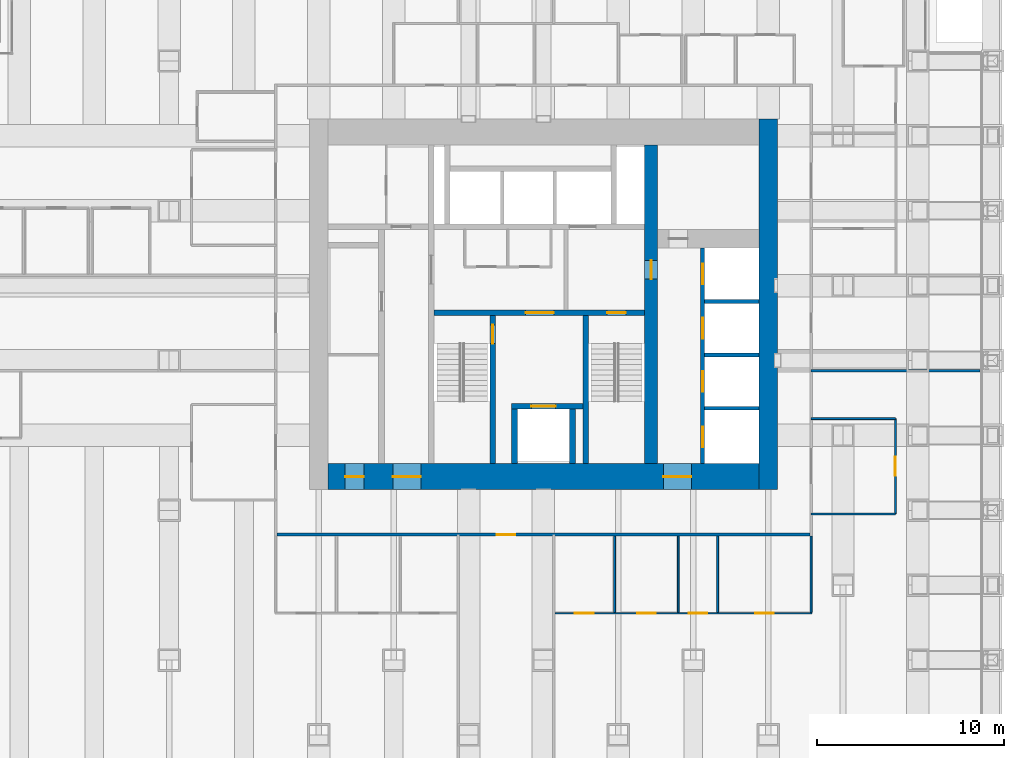
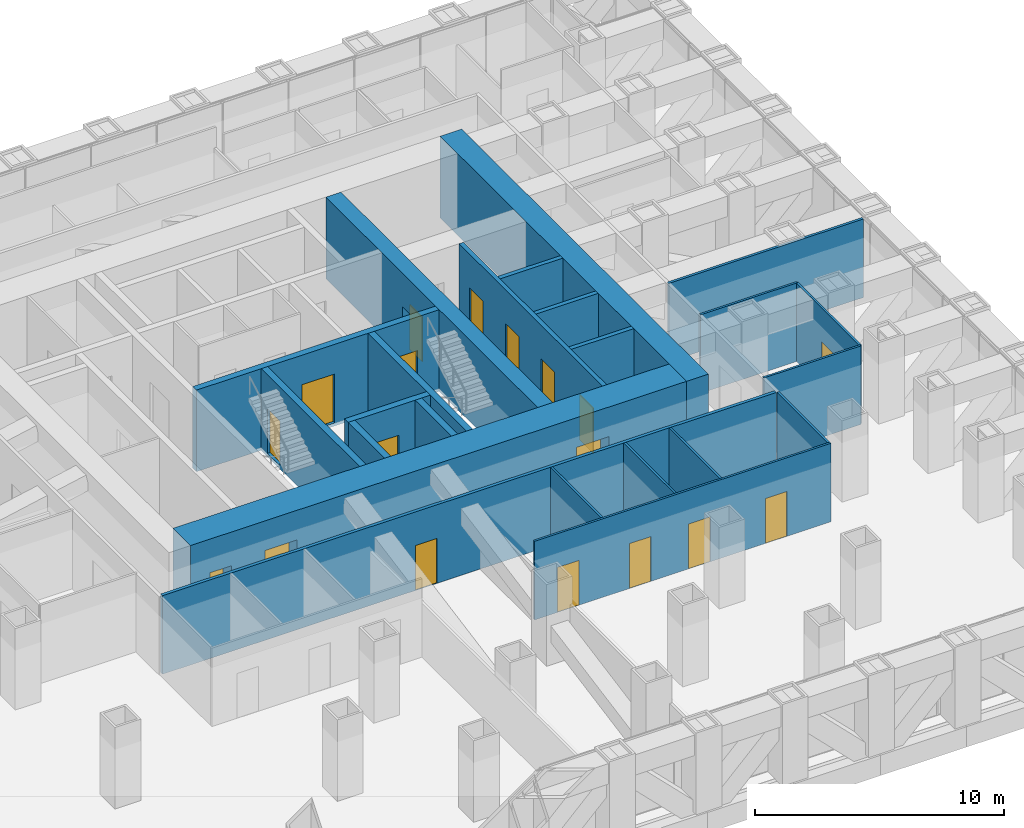
# One storey, part 14 of 18: 23 walls, 18 doors, 18 openings.
"""IFC4 building model written with IfcOpenShell, lengths in metres."""

from ifc_helpers import new_model, si_unit, direction, frame, frame_2d, origin, place, context, subcontext, project, spatial, rectangle, extrude, material, layer, layer_set, type_object, element, fill, save


model = new_model("IFC4")

# Units and contexts
model_context = context("Model", 3, precision=1e-05, world=origin(), true_north=direction((0.0, 1.0)))
body_context = subcontext(model_context, "Body", "Model", "MODEL_VIEW")
ifc_project = project(units=[si_unit("LENGTHUNIT", "METRE"), si_unit("AREAUNIT", "SQUARE_METRE"), si_unit("VOLUMEUNIT", "CUBIC_METRE"), si_unit("PLANEANGLEUNIT", "RADIAN"), si_unit("MASSUNIT", "GRAM", prefix="KILO")], contexts=[model_context])

# Site, building, storey
site_placement = place(None, origin())
site = spatial("IfcSite", under=ifc_project, at=site_placement, CompositionType="ELEMENT")
building_placement = place(site_placement, origin())
building = spatial("IfcBuilding", under=site, at=building_placement, Name="Rimbunsela Tower", CompositionType="ELEMENT")
storey_placement = place(building_placement, frame((0.0, 0.0, 11.0)))
storey = spatial("IfcBuildingStorey", under=building, at=storey_placement, Name="L02", CompositionType="ELEMENT", Elevation=11.0)

# Wall, openings, doors
ifc_material_1 = material(Name="Concrete fc' 80 MPa", Category="concrete")
ifc_layer_1 = layer(ifc_material_1, 0.300048828125)
ifc_layer_set_1 = layer_set([ifc_layer_1], Name="Core internal wall 300")
wall_type_1 = type_object("IfcWallType", Name="Core internal wall 300", PredefinedType="SHEAR", material=ifc_layer_set_1)
wall_1_placement = place(storey_placement, frame((24.14990234375, 26.550048828125, -0.14990234375), z_axis=(0.0, 0.0, 1.0), x_axis=(1.0, 0.0, 0.0)))
wall_1 = element("IfcWall", 1, at=wall_1_placement, inside=storey, type_object=wall_type_1, Name="Core wall lobby south", PredefinedType="SHEAR", context=body_context, shape_type="SweptSolid", body=[
    extrude(rectangle(XDim=11.25, YDim=0.300048828125, at=frame_2d((5.625, 0.0))), origin(), (0.0, 0.0, 1.0), 4.0),
])
opening_1_placement = place(wall_1_placement, frame((9.25, 0.0, 0.14990234375)))
opening_1 = element("IfcOpeningElement", 2, at=opening_1_placement, cuts=wall_1, Name="Opening D01", PredefinedType="OPENING", context=body_context, shape_type="SweptSolid", body=[
    extrude(rectangle(XDim=1.0, YDim=2.199951171875, at=frame_2d((0.5, 1.10009765625))), frame((0.0, 0.159912109375, 0.0), z_axis=(0.0, -1.0, 0.0), x_axis=(1.0, 0.0, 0.0)), (0.0, 0.0, 1.0), 0.320068359375),
])
opening_2_placement = place(wall_1_placement, frame((4.89990234375, 0.0, 0.14990234375)))
opening_2 = element("IfcOpeningElement", 3, at=opening_2_placement, cuts=wall_1, Name="Opening D03", PredefinedType="OPENING", context=body_context, shape_type="SweptSolid", body=[
    extrude(rectangle(XDim=1.5, YDim=2.39990234375, at=frame_2d((0.75, 1.199951171875))), frame((0.0, 0.159912109375, 0.0), z_axis=(0.0, -1.0, 0.0), x_axis=(1.0, 0.0, 0.0)), (0.0, 0.0, 1.0), 0.320068359375),
])
ifc_material_2 = material(Name="Steel door, fire rated", Category="steel")
door_type_1 = type_object("IfcDoorType", Name="Core lobby door 1500", OperationType="DOUBLE_DOOR_DOUBLE_SWING", PredefinedType="DOOR", material=ifc_material_2)
door_1_placement = place(opening_2_placement, origin())
door_1 = element("IfcDoor", 4, at=door_1_placement, inside=storey, type_object=door_type_1, Name="Firefighting lobby door", OperationType="DOUBLE_DOOR_DOUBLE_SWING", OverallHeight=2.39990234375, OverallWidth=1.5, PredefinedType="DOOR", context=body_context, shape_type="SweptSolid", body=[
    extrude(rectangle(XDim=1.5, YDim=2.39990234375, at=frame_2d((0.75, 1.199951171875))), frame((0.0, 0.02490234375, 0.0), z_axis=(0.0, -1.0, 0.0), x_axis=(1.0, 0.0, 0.0)), (0.0, 0.0, 1.0), 0.050048828125),
])
fill(opening_2, door_1)
ifc_material_3 = material(Name="Steel door, fire rated", Category="steel")
door_type_2 = type_object("IfcDoorType", Name="Stair door 1000", OperationType="SINGLE_SWING_RIGHT", PredefinedType="DOOR", material=ifc_material_3)
door_2_placement = place(opening_1_placement, frame((1.0, 0.0, 0.0), z_axis=(0.0, 0.0, 1.0), x_axis=(-1.0, 0.0, 0.0)))
door_2 = element("IfcDoor", 5, at=door_2_placement, inside=storey, type_object=door_type_2, Name="Stair B door", OperationType="SINGLE_SWING_RIGHT", OverallHeight=2.199951171875, OverallWidth=1.0, PredefinedType="DOOR", context=body_context, shape_type="SweptSolid", body=[
    extrude(rectangle(XDim=1.0, YDim=2.199951171875, at=frame_2d((0.5, 1.10009765625))), frame((0.0, 0.02490234375, 0.0), z_axis=(0.0, -1.0, 0.0), x_axis=(1.0, 0.0, 0.0)), (0.0, 0.0, 1.0), 0.050048828125),
])
fill(opening_1, door_2)

# Wall, opening, door
wall_2_placement = place(storey_placement, frame((27.300048828125, 18.5, -0.14990234375), z_axis=(0.0, 0.0, 1.0), x_axis=(0.0, 1.0, 0.0)))
wall_2 = element("IfcWall", 6, at=wall_2_placement, inside=storey, type_object=wall_type_1, Name="Stair A enclosure", PredefinedType="SHEAR", context=body_context, shape_type="SweptSolid", body=[
    extrude(rectangle(XDim=7.89990234375, YDim=0.300048828125, at=frame_2d((3.949951171875, 0.0))), origin(), (0.0, 0.0, 1.0), 4.0),
])
opening_3_placement = place(wall_2_placement, frame((6.39990234375, 0.0, 0.14990234375)))
opening_3 = element("IfcOpeningElement", 7, at=opening_3_placement, cuts=wall_2, Name="Opening D01", PredefinedType="OPENING", context=body_context, shape_type="SweptSolid", body=[
    extrude(rectangle(XDim=1.0, YDim=2.199951171875, at=frame_2d((0.5, 1.10009765625))), frame((0.0, 0.159912109375, 0.0), z_axis=(0.0, -1.0, 0.0), x_axis=(1.0, 0.0, 0.0)), (0.0, 0.0, 1.0), 0.320068359375),
])
door_3_placement = place(opening_3_placement, origin())
door_3 = element("IfcDoor", 8, at=door_3_placement, inside=storey, type_object=door_type_2, Name="Stair A door", OperationType="SINGLE_SWING_RIGHT", OverallHeight=2.199951171875, OverallWidth=1.0, PredefinedType="DOOR", context=body_context, shape_type="SweptSolid", body=[
    extrude(rectangle(XDim=1.0, YDim=2.199951171875, at=frame_2d((0.5, 1.10009765625))), frame((0.0, 0.02490234375, 0.0), z_axis=(0.0, -1.0, 0.0), x_axis=(1.0, 0.0, 0.0)), (0.0, 0.0, 1.0), 0.050048828125),
])
fill(opening_3, door_3)

# Walls
wall_3_placement = place(storey_placement, frame((32.25, 18.5, -0.14990234375), z_axis=(0.0, 0.0, 1.0), x_axis=(0.0, 1.0, 0.0)))
element("IfcWall", 9, at=wall_3_placement, inside=storey, type_object=wall_type_1, Name="Stair B enclosure", PredefinedType="SHEAR", context=body_context, shape_type="SweptSolid", body=[
    extrude(rectangle(XDim=7.89990234375, YDim=0.300048828125, at=frame_2d((3.949951171875, 0.0))), origin(), (0.0, 0.0, 1.0), 4.0),
])
for number, where, z_axis, x_axis, name in (
    (10, (28.449951171875, 18.5, -0.14990234375), (0.0, 0.0, 1.0), (0.0, 1.0, 0.0), "Firefighting lift shaft west"),
    (11, (31.550048828125, 18.5, -0.14990234375), (0.0, 0.0, 1.0), (0.0, 1.0, 0.0), "Firefighting lift shaft east"),
):
    element("IfcWall", number, at=place(storey_placement, frame(where, z_axis=z_axis, x_axis=x_axis)), inside=storey, type_object=wall_type_1, Name=name, PredefinedType="SHEAR", context=body_context, shape_type="SweptSolid", body=[
        extrude(rectangle(XDim=2.89990234375, YDim=0.300048828125, at=frame_2d((1.449951171875, 0.0))), origin(), (0.0, 0.0, 1.0), 4.0),
    ])

# Wall, opening, door
wall_4_placement = place(storey_placement, frame((28.300048828125, 21.550048828125, -0.14990234375), z_axis=(0.0, 0.0, 1.0), x_axis=(1.0, 0.0, 0.0)))
wall_4 = element("IfcWall", 12, at=wall_4_placement, inside=storey, type_object=wall_type_1, Name="Firefighting lift shaft front", PredefinedType="SHEAR", context=body_context, shape_type="SweptSolid", body=[
    extrude(rectangle(XDim=3.800048828125, YDim=0.300048828125, at=frame_2d((1.89990234375, 0.0))), origin(), (0.0, 0.0, 1.0), 4.0),
])
opening_4_placement = place(wall_4_placement, frame((1.050048828125, 0.0, 0.14990234375)))
opening_4 = element("IfcOpeningElement", 13, at=opening_4_placement, cuts=wall_4, Name="Opening LD2", PredefinedType="OPENING", context=body_context, shape_type="SweptSolid", body=[
    extrude(rectangle(XDim=1.300048828125, YDim=2.39990234375, at=frame_2d((0.64990234375, 1.199951171875))), frame((0.0, 0.159912109375, 0.0), z_axis=(0.0, -1.0, 0.0), x_axis=(1.0, 0.0, 0.0)), (0.0, 0.0, 1.0), 0.320068359375),
])
ifc_material_4 = material(Name="Steel door, fire rated", Category="steel")
door_type_3 = type_object("IfcDoorType", Name="Lift landing door 1300", OperationType="DOUBLE_DOOR_SLIDING", PredefinedType="DOOR", material=ifc_material_4)
door_4_placement = place(opening_4_placement, origin())
door_4 = element("IfcDoor", 14, at=door_4_placement, inside=storey, type_object=door_type_3, Name="Lift landing door FL1", OperationType="DOUBLE_DOOR_SLIDING", OverallHeight=2.39990234375, OverallWidth=1.300048828125, PredefinedType="DOOR", context=body_context, shape_type="SweptSolid", body=[
    extrude(rectangle(XDim=1.300048828125, YDim=2.39990234375, at=frame_2d((0.64990234375, 1.199951171875))), frame((0.0, 0.02490234375, 0.0), z_axis=(0.0, -1.0, 0.0), x_axis=(1.0, 0.0, 0.0)), (0.0, 0.0, 1.0), 0.050048828125),
])
fill(opening_4, door_4)

# Wall
ifc_material_5 = material(Name="Concrete fc' 80 MPa", Category="concrete")
ifc_layer_2 = layer(ifc_material_5, 1.0)
ifc_layer_set_2 = layer_set([ifc_layer_2], Name="Core wall 1000")
wall_type_2 = type_object("IfcWallType", Name="Core wall 1000", PredefinedType="SHEAR", material=ifc_layer_set_2)
wall_5_placement = place(storey_placement, frame((42.0, 17.10009765625, -0.14990234375), z_axis=(0.0, 0.0, 1.0), x_axis=(0.0, 1.0, 0.0)))
element("IfcWall", 15, at=wall_5_placement, inside=storey, type_object=wall_type_2, Name="Core wall east", PredefinedType="SHEAR", context=body_context, shape_type="SweptSolid", body=[
    extrude(rectangle(XDim=19.7998046875, YDim=1.0, at=frame_2d((9.89990234375, 0.0))), origin(), (0.0, 0.0, 1.0), 4.0),
])

# Wall, openings, doors
ifc_material_6 = material(Name="Concrete fc' 80 MPa", Category="concrete")
ifc_layer_3 = layer(ifc_material_6, 1.39990234375)
ifc_layer_set_3 = layer_set([ifc_layer_3], Name="Core wall 1400")
wall_type_3 = type_object("IfcWallType", Name="Core wall 1400", PredefinedType="SHEAR", material=ifc_layer_set_3)
wall_6_placement = place(storey_placement, frame((18.5, 17.800048828125, -0.14990234375), z_axis=(0.0, 0.0, 1.0), x_axis=(1.0, 0.0, 0.0)))
wall_6 = element("IfcWall", 16, at=wall_6_placement, inside=storey, type_object=wall_type_3, Name="Core wall south", PredefinedType="SHEAR", context=body_context, shape_type="SweptSolid", body=[
    extrude(rectangle(XDim=23.0, YDim=1.39990234375, at=frame_2d((11.5, 0.0))), origin(), (0.0, 0.0, 1.0), 4.0),
])
opening_5_placement = place(wall_6_placement, frame((3.449951171875, 0.0, 0.14990234375)))
opening_5 = element("IfcOpeningElement", 17, at=opening_5_placement, cuts=wall_6, Name="Opening D03", PredefinedType="OPENING", context=body_context, shape_type="SweptSolid", body=[
    extrude(rectangle(XDim=1.5, YDim=2.39990234375, at=frame_2d((0.75, 1.199951171875))), frame((0.0, 0.7099609375, 0.0), z_axis=(0.0, -1.0, 0.0), x_axis=(1.0, 0.0, 0.0)), (0.0, 0.0, 1.0), 1.419921875),
])
opening_6_placement = place(wall_6_placement, frame((17.89990234375, 0.0, 0.14990234375)))
opening_6 = element("IfcOpeningElement", 18, at=opening_6_placement, cuts=wall_6, Name="Opening D03", PredefinedType="OPENING", context=body_context, shape_type="SweptSolid", body=[
    extrude(rectangle(XDim=1.5, YDim=2.39990234375, at=frame_2d((0.75, 1.199951171875))), frame((0.0, 0.7099609375, 0.0), z_axis=(0.0, -1.0, 0.0), x_axis=(1.0, 0.0, 0.0)), (0.0, 0.0, 1.0), 1.419921875),
])
opening_7_placement = place(wall_6_placement, frame((0.89990234375, 0.0, 0.14990234375)))
opening_7 = element("IfcOpeningElement", 19, at=opening_7_placement, cuts=wall_6, Name="Opening D19", PredefinedType="OPENING", context=body_context, shape_type="SweptSolid", body=[
    extrude(rectangle(XDim=1.0, YDim=2.199951171875, at=frame_2d((0.5, 1.10009765625))), frame((0.0, 0.7099609375, 0.0), z_axis=(0.0, -1.0, 0.0), x_axis=(1.0, 0.0, 0.0)), (0.0, 0.0, 1.0), 1.419921875),
])
door_5_placement = place(opening_5_placement, origin())
door_5 = element("IfcDoor", 20, at=door_5_placement, inside=storey, type_object=door_type_1, Name="Core door south", OperationType="DOUBLE_DOOR_DOUBLE_SWING", OverallHeight=2.39990234375, OverallWidth=1.5, PredefinedType="DOOR", context=body_context, shape_type="SweptSolid", body=[
    extrude(rectangle(XDim=1.5, YDim=2.39990234375, at=frame_2d((0.75, 1.199951171875))), frame((0.0, 0.02490234375, 0.0), z_axis=(0.0, -1.0, 0.0), x_axis=(1.0, 0.0, 0.0)), (0.0, 0.0, 1.0), 0.050048828125),
])
fill(opening_5, door_5)
door_6_placement = place(opening_6_placement, origin())
door_6 = element("IfcDoor", 21, at=door_6_placement, inside=storey, type_object=door_type_1, Name="Core door south-east", OperationType="DOUBLE_DOOR_DOUBLE_SWING", OverallHeight=2.39990234375, OverallWidth=1.5, PredefinedType="DOOR", context=body_context, shape_type="SweptSolid", body=[
    extrude(rectangle(XDim=1.5, YDim=2.39990234375, at=frame_2d((0.75, 1.199951171875))), frame((0.0, 0.02490234375, 0.0), z_axis=(0.0, -1.0, 0.0), x_axis=(1.0, 0.0, 0.0)), (0.0, 0.0, 1.0), 0.050048828125),
])
fill(opening_6, door_6)
ifc_material_7 = material(Name="Steel door, fire rated", Category="steel")
door_type_4 = type_object("IfcDoorType", Name="Service door 1000 fire rated", OperationType="SINGLE_SWING_LEFT", PredefinedType="DOOR", material=ifc_material_7)
door_7_placement = place(opening_7_placement, origin())
door_7 = element("IfcDoor", 22, at=door_7_placement, inside=storey, type_object=door_type_4, Name="Electrical room door", OperationType="SINGLE_SWING_LEFT", OverallHeight=2.199951171875, OverallWidth=1.0, PredefinedType="DOOR", context=body_context, shape_type="SweptSolid", body=[
    extrude(rectangle(XDim=1.0, YDim=2.199951171875, at=frame_2d((0.5, 1.10009765625))), frame((0.0, 0.02490234375, 0.0), z_axis=(0.0, -1.0, 0.0), x_axis=(1.0, 0.0, 0.0)), (0.0, 0.0, 1.0), 0.050048828125),
])
fill(opening_7, door_7)

# Wall, opening, door
ifc_material_8 = material(Name="Concrete fc' 80 MPa", Category="concrete")
ifc_layer_4 = layer(ifc_material_8, 0.699951171875)
ifc_layer_set_4 = layer_set([ifc_layer_4], Name="Core wall 700 east")
wall_type_4 = type_object("IfcWallType", Name="Core wall 700 east", PredefinedType="SHEAR", material=ifc_layer_set_4)
wall_7_placement = place(storey_placement, frame((35.75, 18.5, -0.14990234375), z_axis=(0.0, 0.0, 1.0), x_axis=(0.0, 1.0, 0.0)))
wall_7 = element("IfcWall", 23, at=wall_7_placement, inside=storey, type_object=wall_type_4, Name="Core wall low-rise bank", PredefinedType="SHEAR", context=body_context, shape_type="SweptSolid", body=[
    extrude(rectangle(XDim=17.0, YDim=0.699951171875, at=frame_2d((8.5, 0.0))), origin(), (0.0, 0.0, 1.0), 4.0),
])
opening_8_placement = place(wall_7_placement, frame((9.85009765625, 0.0, 0.14990234375)))
opening_8 = element("IfcOpeningElement", 24, at=opening_8_placement, cuts=wall_7, Name="Opening D01", PredefinedType="OPENING", context=body_context, shape_type="SweptSolid", body=[
    extrude(rectangle(XDim=1.0, YDim=2.199951171875, at=frame_2d((0.5, 1.10009765625))), frame((0.0, 0.35986328125, 0.0), z_axis=(0.0, -1.0, 0.0), x_axis=(1.0, 0.0, 0.0)), (0.0, 0.0, 1.0), 0.719970703125),
])
door_8_placement = place(opening_8_placement, origin())
door_8 = element("IfcDoor", 25, at=door_8_placement, inside=storey, type_object=door_type_2, Name="Firefighting lobby 2 door", OperationType="SINGLE_SWING_RIGHT", OverallHeight=2.199951171875, OverallWidth=1.0, PredefinedType="DOOR", context=body_context, shape_type="SweptSolid", body=[
    extrude(rectangle(XDim=1.0, YDim=2.199951171875, at=frame_2d((0.5, 1.10009765625))), frame((0.0, 0.02490234375, 0.0), z_axis=(0.0, -1.0, 0.0), x_axis=(1.0, 0.0, 0.0)), (0.0, 0.0, 1.0), 0.050048828125),
])
fill(opening_8, door_8)

# Wall, openings, doors
ifc_material_9 = material(Name="Concrete blockwork", Category="masonry")
ifc_layer_5 = layer(ifc_material_9, 0.199951171875)
ifc_layer_set_5 = layer_set([ifc_layer_5], Name="Lift shaft wall 200")
wall_type_5 = type_object("IfcWallType", Name="Lift shaft wall 200", PredefinedType="SOLIDWALL", material=ifc_layer_set_5)
wall_8_placement = place(storey_placement, frame((38.5, 18.5, -0.14990234375), z_axis=(0.0, 0.0, 1.0), x_axis=(0.0, 1.0, 0.0)))
wall_8 = element("IfcWall", 26, at=wall_8_placement, inside=storey, type_object=wall_type_5, Name="Lift shaft front east", PredefinedType="SOLIDWALL", context=body_context, shape_type="SweptSolid", body=[
    extrude(rectangle(XDim=11.5, YDim=0.199951171875, at=frame_2d((5.75, 0.0))), origin(), (0.0, 0.0, 1.0), 4.0),
])
opening_9_placement = place(wall_8_placement, frame((0.875, 0.0, 0.14990234375)))
opening_9 = element("IfcOpeningElement", 27, at=opening_9_placement, cuts=wall_8, Name="Opening LD1", PredefinedType="OPENING", context=body_context, shape_type="SweptSolid", body=[
    extrude(rectangle(XDim=1.10009765625, YDim=2.199951171875, at=frame_2d((0.550048828125, 1.10009765625))), frame((0.0, 0.10986328125, 0.0), z_axis=(0.0, -1.0, 0.0), x_axis=(1.0, 0.0, 0.0)), (0.0, 0.0, 1.0), 0.219970703125),
])
opening_10_placement = place(wall_8_placement, frame((3.824951171875, 0.0, 0.14990234375)))
opening_10 = element("IfcOpeningElement", 28, at=opening_10_placement, cuts=wall_8, Name="Opening LD1", PredefinedType="OPENING", context=body_context, shape_type="SweptSolid", body=[
    extrude(rectangle(XDim=1.10009765625, YDim=2.199951171875, at=frame_2d((0.550048828125, 1.10009765625))), frame((0.0, 0.10986328125, 0.0), z_axis=(0.0, -1.0, 0.0), x_axis=(1.0, 0.0, 0.0)), (0.0, 0.0, 1.0), 0.219970703125),
])
opening_11_placement = place(wall_8_placement, frame((6.675048828125, 0.0, 0.14990234375)))
opening_11 = element("IfcOpeningElement", 29, at=opening_11_placement, cuts=wall_8, Name="Opening LD1", PredefinedType="OPENING", context=body_context, shape_type="SweptSolid", body=[
    extrude(rectangle(XDim=1.10009765625, YDim=2.199951171875, at=frame_2d((0.550048828125, 1.10009765625))), frame((0.0, 0.10986328125, 0.0), z_axis=(0.0, -1.0, 0.0), x_axis=(1.0, 0.0, 0.0)), (0.0, 0.0, 1.0), 0.219970703125),
])
opening_12_placement = place(wall_8_placement, frame((9.574951171875, 0.0, 0.14990234375)))
opening_12 = element("IfcOpeningElement", 30, at=opening_12_placement, cuts=wall_8, Name="Opening LD1", PredefinedType="OPENING", context=body_context, shape_type="SweptSolid", body=[
    extrude(rectangle(XDim=1.10009765625, YDim=2.199951171875, at=frame_2d((0.550048828125, 1.10009765625))), frame((0.0, 0.10986328125, 0.0), z_axis=(0.0, -1.0, 0.0), x_axis=(1.0, 0.0, 0.0)), (0.0, 0.0, 1.0), 0.219970703125),
])
ifc_material_10 = material(Name="Steel door, fire rated", Category="steel")
door_type_5 = type_object("IfcDoorType", Name="Lift landing door 1100", OperationType="DOUBLE_DOOR_SLIDING", PredefinedType="DOOR", material=ifc_material_10)
door_9_placement = place(opening_9_placement, origin())
door_9 = element("IfcDoor", 31, at=door_9_placement, inside=storey, type_object=door_type_5, Name="Lift landing door LL1", OperationType="DOUBLE_DOOR_SLIDING", OverallHeight=2.199951171875, OverallWidth=1.10009765625, PredefinedType="DOOR", context=body_context, shape_type="SweptSolid", body=[
    extrude(rectangle(XDim=1.10009765625, YDim=2.199951171875, at=frame_2d((0.550048828125, 1.10009765625))), frame((0.0, 0.02490234375, 0.0), z_axis=(0.0, -1.0, 0.0), x_axis=(1.0, 0.0, 0.0)), (0.0, 0.0, 1.0), 0.050048828125),
])
fill(opening_9, door_9)
door_10_placement = place(opening_10_placement, origin())
door_10 = element("IfcDoor", 32, at=door_10_placement, inside=storey, type_object=door_type_5, Name="Lift landing door LL2", OperationType="DOUBLE_DOOR_SLIDING", OverallHeight=2.199951171875, OverallWidth=1.10009765625, PredefinedType="DOOR", context=body_context, shape_type="SweptSolid", body=[
    extrude(rectangle(XDim=1.10009765625, YDim=2.199951171875, at=frame_2d((0.550048828125, 1.10009765625))), frame((0.0, 0.02490234375, 0.0), z_axis=(0.0, -1.0, 0.0), x_axis=(1.0, 0.0, 0.0)), (0.0, 0.0, 1.0), 0.050048828125),
])
fill(opening_10, door_10)
door_11_placement = place(opening_11_placement, origin())
door_11 = element("IfcDoor", 33, at=door_11_placement, inside=storey, type_object=door_type_5, Name="Lift landing door LL3", OperationType="DOUBLE_DOOR_SLIDING", OverallHeight=2.199951171875, OverallWidth=1.10009765625, PredefinedType="DOOR", context=body_context, shape_type="SweptSolid", body=[
    extrude(rectangle(XDim=1.10009765625, YDim=2.199951171875, at=frame_2d((0.550048828125, 1.10009765625))), frame((0.0, 0.02490234375, 0.0), z_axis=(0.0, -1.0, 0.0), x_axis=(1.0, 0.0, 0.0)), (0.0, 0.0, 1.0), 0.050048828125),
])
fill(opening_11, door_11)
door_12_placement = place(opening_12_placement, origin())
door_12 = element("IfcDoor", 34, at=door_12_placement, inside=storey, type_object=door_type_5, Name="Lift landing door LL4", OperationType="DOUBLE_DOOR_SLIDING", OverallHeight=2.199951171875, OverallWidth=1.10009765625, PredefinedType="DOOR", context=body_context, shape_type="SweptSolid", body=[
    extrude(rectangle(XDim=1.10009765625, YDim=2.199951171875, at=frame_2d((0.550048828125, 1.10009765625))), frame((0.0, 0.02490234375, 0.0), z_axis=(0.0, -1.0, 0.0), x_axis=(1.0, 0.0, 0.0)), (0.0, 0.0, 1.0), 0.050048828125),
])
fill(opening_12, door_12)

# Walls
for number, where, z_axis, x_axis, name in (
    (35, (38.60009765625, 21.449951171875, -0.14990234375), (0.0, 0.0, 1.0), (1.0, 0.0, 0.0), "Lift shaft separation"),
    (36, (38.60009765625, 24.300048828125, -0.14990234375), (0.0, 0.0, 1.0), (1.0, 0.0, 0.0), "Lift shaft separation"),
    (37, (38.60009765625, 27.14990234375, -0.14990234375), (0.0, 0.0, 1.0), (1.0, 0.0, 0.0), "Lift shaft separation"),
):
    element("IfcWall", number, at=place(storey_placement, frame(where, z_axis=z_axis, x_axis=x_axis)), inside=storey, type_object=wall_type_5, Name=name, PredefinedType="SOLIDWALL", context=body_context, shape_type="SweptSolid", body=[
        extrude(rectangle(XDim=2.89990234375, YDim=0.199951171875, at=frame_2d((1.449951171875, 0.0))), origin(), (0.0, 0.0, 1.0), 4.0),
    ])

# Wall, openings, doors
ifc_material_11 = material(Name="Gypsum board on steel studs", Category="steel")
ifc_layer_6 = layer(ifc_material_11, 0.10009765625)
ifc_layer_set_6 = layer_set([ifc_layer_6], Name="Office partition 100")
wall_type_6 = type_object("IfcWallType", Name="Office partition 100", PredefinedType="PARTITIONING", material=ifc_layer_set_6)
wall_9_placement = place(storey_placement, frame((30.611083984375, 10.5, 0.0), z_axis=(0.0, 0.0, 1.0), x_axis=(1.0, 0.0, 0.0)))
wall_9 = element("IfcWall", 38, at=wall_9_placement, inside=storey, type_object=wall_type_6, Name="Office partition", PredefinedType="PARTITIONING", context=body_context, shape_type="SweptSolid", body=[
    extrude(rectangle(XDim=13.739013671875, YDim=0.10009765625, at=frame_2d((6.86962890625, 0.0))), origin(), (0.0, 0.0, 1.0), 3.85009765625),
])
opening_13_placement = place(wall_9_placement, frame((1.06494140625, 0.0, 0.0)))
opening_13 = element("IfcOpeningElement", 39, at=opening_13_placement, cuts=wall_9, Name="Opening D16", PredefinedType="OPENING", context=body_context, shape_type="SweptSolid", body=[
    extrude(rectangle(XDim=1.0, YDim=2.199951171875, at=frame_2d((0.5, 1.10009765625))), frame((0.0, 0.06005859375, 0.0), z_axis=(0.0, -1.0, 0.0), x_axis=(1.0, 0.0, 0.0)), (0.0, 0.0, 1.0), 0.1201171875),
])
opening_14_placement = place(wall_9_placement, frame((4.389892578125, 0.0, 0.0)))
opening_14 = element("IfcOpeningElement", 40, at=opening_14_placement, cuts=wall_9, Name="Opening D16", PredefinedType="OPENING", context=body_context, shape_type="SweptSolid", body=[
    extrude(rectangle(XDim=1.0, YDim=2.199951171875, at=frame_2d((0.5, 1.10009765625))), frame((0.0, 0.06005859375, 0.0), z_axis=(0.0, -1.0, 0.0), x_axis=(1.0, 0.0, 0.0)), (0.0, 0.0, 1.0), 0.1201171875),
])
opening_15_placement = place(wall_9_placement, frame((7.139892578125, 0.0, 0.0)))
opening_15 = element("IfcOpeningElement", 41, at=opening_15_placement, cuts=wall_9, Name="Opening D16", PredefinedType="OPENING", context=body_context, shape_type="SweptSolid", body=[
    extrude(rectangle(XDim=1.0, YDim=2.199951171875, at=frame_2d((0.5, 1.10009765625))), frame((0.0, 0.06005859375, 0.0), z_axis=(0.0, -1.0, 0.0), x_axis=(1.0, 0.0, 0.0)), (0.0, 0.0, 1.0), 0.1201171875),
])
opening_16_placement = place(wall_9_placement, frame((10.689453125, 0.0, 0.0)))
opening_16 = element("IfcOpeningElement", 42, at=opening_16_placement, cuts=wall_9, Name="Opening D16", PredefinedType="OPENING", context=body_context, shape_type="SweptSolid", body=[
    extrude(rectangle(XDim=1.0, YDim=2.199951171875, at=frame_2d((0.5, 1.10009765625))), frame((0.0, 0.06005859375, 0.0), z_axis=(0.0, -1.0, 0.0), x_axis=(1.0, 0.0, 0.0)), (0.0, 0.0, 1.0), 0.1201171875),
])
ifc_material_12 = material(Name="Timber door", Category="wood")
door_type_6 = type_object("IfcDoorType", Name="Office door 1000", OperationType="SINGLE_SWING_LEFT", PredefinedType="DOOR", material=ifc_material_12)
door_13_placement = place(opening_13_placement, origin())
door_13 = element("IfcDoor", 43, at=door_13_placement, inside=storey, type_object=door_type_6, Name="Office door", OperationType="SINGLE_SWING_LEFT", OverallHeight=2.199951171875, OverallWidth=1.0, PredefinedType="DOOR", context=body_context, shape_type="SweptSolid", body=[
    extrude(rectangle(XDim=1.0, YDim=2.199951171875, at=frame_2d((0.5, 1.10009765625))), frame((0.0, 0.02490234375, 0.0), z_axis=(0.0, -1.0, 0.0), x_axis=(1.0, 0.0, 0.0)), (0.0, 0.0, 1.0), 0.050048828125),
])
fill(opening_13, door_13)
door_14_placement = place(opening_14_placement, origin())
door_14 = element("IfcDoor", 44, at=door_14_placement, inside=storey, type_object=door_type_6, Name="Office door", OperationType="SINGLE_SWING_LEFT", OverallHeight=2.199951171875, OverallWidth=1.0, PredefinedType="DOOR", context=body_context, shape_type="SweptSolid", body=[
    extrude(rectangle(XDim=1.0, YDim=2.199951171875, at=frame_2d((0.5, 1.10009765625))), frame((0.0, 0.02490234375, 0.0), z_axis=(0.0, -1.0, 0.0), x_axis=(1.0, 0.0, 0.0)), (0.0, 0.0, 1.0), 0.050048828125),
])
fill(opening_14, door_14)
door_15_placement = place(opening_15_placement, origin())
door_15 = element("IfcDoor", 45, at=door_15_placement, inside=storey, type_object=door_type_6, Name="Office door", OperationType="SINGLE_SWING_LEFT", OverallHeight=2.199951171875, OverallWidth=1.0, PredefinedType="DOOR", context=body_context, shape_type="SweptSolid", body=[
    extrude(rectangle(XDim=1.0, YDim=2.199951171875, at=frame_2d((0.5, 1.10009765625))), frame((0.0, 0.02490234375, 0.0), z_axis=(0.0, -1.0, 0.0), x_axis=(1.0, 0.0, 0.0)), (0.0, 0.0, 1.0), 0.050048828125),
])
fill(opening_15, door_15)
door_16_placement = place(opening_16_placement, origin())
door_16 = element("IfcDoor", 46, at=door_16_placement, inside=storey, type_object=door_type_6, Name="Office door", OperationType="SINGLE_SWING_LEFT", OverallHeight=2.199951171875, OverallWidth=1.0, PredefinedType="DOOR", context=body_context, shape_type="SweptSolid", body=[
    extrude(rectangle(XDim=1.0, YDim=2.199951171875, at=frame_2d((0.5, 1.10009765625))), frame((0.0, 0.02490234375, 0.0), z_axis=(0.0, -1.0, 0.0), x_axis=(1.0, 0.0, 0.0)), (0.0, 0.0, 1.0), 0.050048828125),
])
fill(opening_16, door_16)

# Walls
for number, where, z_axis, x_axis, name in (
    (47, (33.801025390625, 10.550048828125, 0.0), (0.0, 0.0, 1.0), (0.0, 1.0, 0.0), "Office partition"),
    (48, (37.200927734375, 10.550048828125, 0.0), (0.0, 0.0, 1.0), (0.0, 1.0, 0.0), "Office partition"),
    (49, (39.301025390625, 10.550048828125, 0.0), (0.0, 0.0, 1.0), (0.0, 1.0, 0.0), "Office partition"),
    (50, (44.300048828125, 10.550048828125, 0.0), (0.0, 0.0, 1.0), (0.0, 1.0, 0.0), "Office partition"),
):
    element("IfcWall", number, at=place(storey_placement, frame(where, z_axis=z_axis, x_axis=x_axis)), inside=storey, type_object=wall_type_6, Name=name, PredefinedType="PARTITIONING", context=body_context, shape_type="SweptSolid", body=[
        extrude(rectangle(XDim=4.074951171875, YDim=0.10009765625, at=frame_2d((2.03759765625, 0.0))), origin(), (0.0, 0.0, 1.0), 3.85009765625),
    ])
wall_10_placement = place(storey_placement, frame((44.300048828125, 15.799072265625, 0.0), z_axis=(0.0, 0.0, 1.0), x_axis=(1.0, 0.0, 0.0)))
element("IfcWall", 51, at=wall_10_placement, inside=storey, type_object=wall_type_6, Name="Office partition", PredefinedType="PARTITIONING", context=body_context, shape_type="SweptSolid", body=[
    extrude(rectangle(XDim=4.5, YDim=0.10009765625, at=frame_2d((2.25, 0.0))), origin(), (0.0, 0.0, 1.0), 3.85009765625),
])

# Wall, opening, door
wall_11_placement = place(storey_placement, frame((48.800048828125, 15.799072265625, 0.0), z_axis=(0.0, 0.0, 1.0), x_axis=(0.0, 1.0, 0.0)))
wall_11 = element("IfcWall", 52, at=wall_11_placement, inside=storey, type_object=wall_type_6, Name="Office partition", PredefinedType="PARTITIONING", context=body_context, shape_type="SweptSolid", body=[
    extrude(rectangle(XDim=5.099853515625, YDim=0.10009765625, at=frame_2d((2.5498046875, 0.0))), origin(), (0.0, 0.0, 1.0), 3.85009765625),
])
opening_17_placement = place(wall_11_placement, frame((2.050048828125, 0.0, 0.0)))
opening_17 = element("IfcOpeningElement", 53, at=opening_17_placement, cuts=wall_11, Name="Opening D17", PredefinedType="OPENING", context=body_context, shape_type="SweptSolid", body=[
    extrude(rectangle(XDim=1.0, YDim=2.199951171875, at=frame_2d((0.5, 1.10009765625))), frame((0.0, 0.06005859375, 0.0), z_axis=(0.0, -1.0, 0.0), x_axis=(1.0, 0.0, 0.0)), (0.0, 0.0, 1.0), 0.1201171875),
])
ifc_material_13 = material(Name="Glazed aluminium door", Category="aluminium")
door_type_7 = type_object("IfcDoorType", Name="Meeting room door 1000 glazed", OperationType="SINGLE_SWING_RIGHT", PredefinedType="DOOR", material=ifc_material_13)
door_17_placement = place(opening_17_placement, origin())
door_17 = element("IfcDoor", 54, at=door_17_placement, inside=storey, type_object=door_type_7, Name="Reception door", OperationType="SINGLE_SWING_RIGHT", OverallHeight=2.199951171875, OverallWidth=1.0, PredefinedType="DOOR", context=body_context, shape_type="SweptSolid", body=[
    extrude(rectangle(XDim=1.0, YDim=2.199951171875, at=frame_2d((0.5, 1.10009765625))), frame((0.0, 0.02490234375, 0.0), z_axis=(0.0, -1.0, 0.0), x_axis=(1.0, 0.0, 0.0)), (0.0, 0.0, 1.0), 0.050048828125),
])
fill(opening_17, door_17)

# Wall
wall_12_placement = place(storey_placement, frame((48.800048828125, 20.89892578125, 0.0), z_axis=(0.0, 0.0, 1.0), x_axis=(-1.0, 0.0, 0.0)))
element("IfcWall", 55, at=wall_12_placement, inside=storey, type_object=wall_type_6, Name="Office partition", PredefinedType="PARTITIONING", context=body_context, shape_type="SweptSolid", body=[
    extrude(rectangle(XDim=4.5, YDim=0.10009765625, at=frame_2d((2.25, 0.0))), origin(), (0.0, 0.0, 1.0), 3.85009765625),
])

# Wall, opening, door
ifc_material_14 = material(Name="Fire-rated gypsum board on steel studs, EI 60", Category="steel")
ifc_layer_7 = layer(ifc_material_14, 0.14990234375)
ifc_layer_set_7 = layer_set([ifc_layer_7], Name="Rated corridor wall 150")
wall_type_7 = type_object("IfcWallType", Name="Rated corridor wall 150", PredefinedType="PARTITIONING", material=ifc_layer_set_7)
wall_13_placement = place(storey_placement, frame((15.77490234375, 14.699951171875, 0.0), z_axis=(0.0, 0.0, 1.0), x_axis=(1.0, 0.0, 0.0)))
wall_13 = element("IfcWall", 56, at=wall_13_placement, inside=storey, type_object=wall_type_7, Name="Corridor wall south", PredefinedType="PARTITIONING", context=body_context, shape_type="SweptSolid", body=[
    extrude(rectangle(XDim=28.4501953125, YDim=0.14990234375, at=frame_2d((14.22509765625, 0.0))), origin(), (0.0, 0.0, 1.0), 3.85009765625),
])
opening_18_placement = place(wall_13_placement, frame((11.72509765625, 0.0, 0.0)))
opening_18 = element("IfcOpeningElement", 57, at=opening_18_placement, cuts=wall_13, Name="Opening D19", PredefinedType="OPENING", context=body_context, shape_type="SweptSolid", body=[
    extrude(rectangle(XDim=1.0, YDim=2.199951171875, at=frame_2d((0.5, 1.10009765625))), frame((0.0, 0.0849609375, 0.0), z_axis=(0.0, -1.0, 0.0), x_axis=(1.0, 0.0, 0.0)), (0.0, 0.0, 1.0), 0.169921875),
])
door_18_placement = place(opening_18_placement, origin())
door_18 = element("IfcDoor", 58, at=door_18_placement, inside=storey, type_object=door_type_4, Name="Service chase access door", OperationType="SINGLE_SWING_LEFT", OverallHeight=2.199951171875, OverallWidth=1.0, PredefinedType="DOOR", context=body_context, shape_type="SweptSolid", body=[
    extrude(rectangle(XDim=1.0, YDim=2.199951171875, at=frame_2d((0.5, 1.10009765625))), frame((0.0, 0.02490234375, 0.0), z_axis=(0.0, -1.0, 0.0), x_axis=(1.0, 0.0, 0.0)), (0.0, 0.0, 1.0), 0.050048828125),
])
fill(opening_18, door_18)

# Wall
ifc_material_15 = material(Name="Gypsum board on steel studs", Category="steel")
ifc_layer_8 = layer(ifc_material_15, 0.1201171875)
ifc_layer_set_8 = layer_set([ifc_layer_8], Name="Tenancy partition 120")
wall_type_8 = type_object("IfcWallType", Name="Tenancy partition 120", PredefinedType="PARTITIONING", material=ifc_layer_set_8)
wall_14_placement = place(storey_placement, frame((44.300048828125, 23.449951171875, 0.0), z_axis=(0.0, 0.0, 1.0), x_axis=(1.0, 0.0, 0.0)))
element("IfcWall", 59, at=wall_14_placement, inside=storey, type_object=wall_type_8, Name="Tenancy partition", PredefinedType="PARTITIONING", context=body_context, shape_type="SweptSolid", body=[
    extrude(rectangle(XDim=9.02001953125, YDim=0.1201171875, at=frame_2d((4.510009765625, 0.0))), origin(), (0.0, 0.0, 1.0), 3.85009765625),
])

save(model, "model.ifc")
